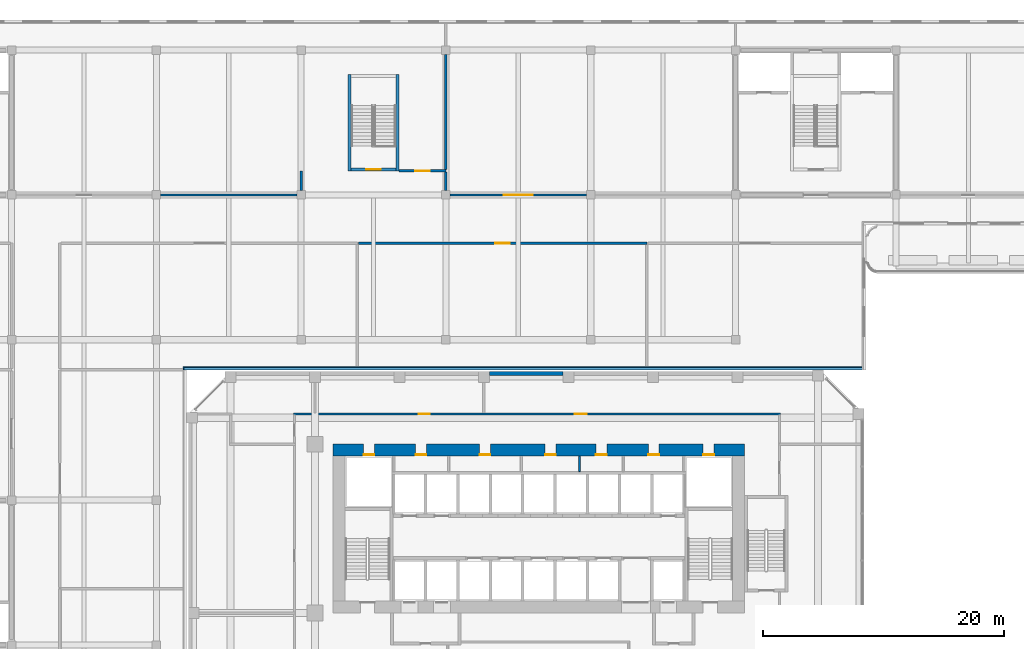
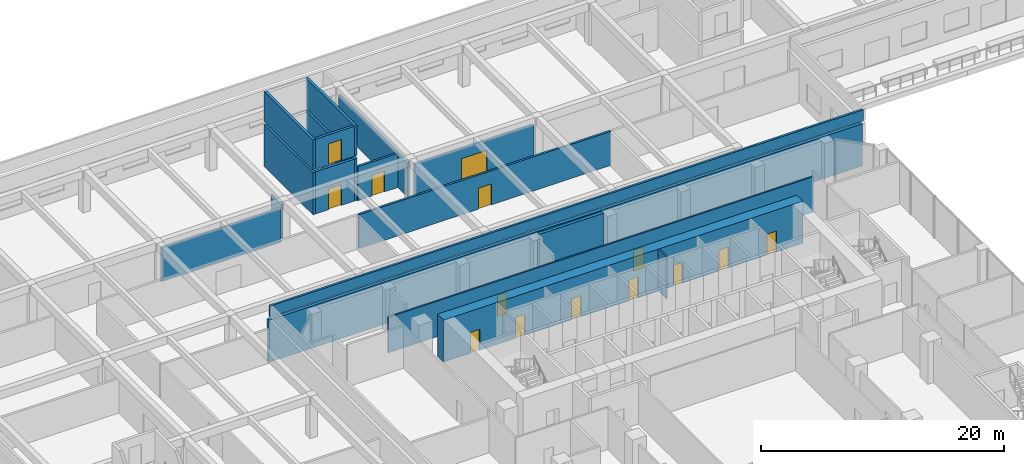
# One storey, part 21 of 35: 19 walls, 14 doors, 14 openings.
"""IFC4 building model written with IfcOpenShell, lengths in metres."""

from ifc_helpers import new_model, si_unit, direction, frame, frame_2d, origin, place, context, subcontext, project, spatial, rectangle, extrude, source, transform, mapped, material, layer, layer_set, type_object, element, fill, save


model = new_model("IFC4")

# Units and contexts
model_context = context("Model", 3, precision=1e-05, world=origin(), true_north=direction((0.0, 1.0)))
body_context = subcontext(model_context, "Body", "Model", "MODEL_VIEW")
ifc_project = project(units=[si_unit("LENGTHUNIT", "METRE"), si_unit("AREAUNIT", "SQUARE_METRE"), si_unit("VOLUMEUNIT", "CUBIC_METRE"), si_unit("PLANEANGLEUNIT", "RADIAN"), si_unit("MASSUNIT", "GRAM", prefix="KILO")], contexts=[model_context])

# Site, building, storey
site_placement = place(None, origin())
site = spatial("IfcSite", under=ifc_project, at=site_placement, CompositionType="ELEMENT")
building_placement = place(site_placement, origin())
building = spatial("IfcBuilding", under=site, at=building_placement, Name="Kilnfold Tower and Market Hall", CompositionType="ELEMENT")
storey_placement = place(building_placement, frame((0.0, 0.0, 22.5)))
storey = spatial("IfcBuildingStorey", under=building, at=storey_placement, Name="L04", CompositionType="ELEMENT", Elevation=22.5)

# Wall, openings, doors
ifc_material_1 = material(Name="Gypsum board on steel studs", Category="steel")
ifc_layer_1 = layer(ifc_material_1, 0.14990234375)
ifc_layer_set_1 = layer_set([ifc_layer_1], Name="Gypsum board on steel studs")
wall_type_1 = type_object("IfcWallType", Name="WALL CORRIDOR 150", PredefinedType="PARTITIONING", material=ifc_layer_set_1)
wall_1_placement = place(storey_placement, frame((-19.27490234375, 24.5, 0.0), z_axis=(0.0, 0.0, 1.0), x_axis=(1.0, 0.0, 0.0)))
wall_1 = element("IfcWall", 1, at=wall_1_placement, inside=storey, type_object=wall_type_1, Name="Partition LY05.30", PredefinedType="PARTITIONING", context=body_context, shape_type="SweptSolid", body=[
    extrude(rectangle(XDim=40.349853515625, YDim=0.14990234375, at=frame_2d((20.1748046875, 0.0))), origin(), (0.0, 0.0, 1.0), 3.570068359375),
])
opening_1_placement = place(wall_1_placement, frame((10.3779296875, 0.0, 0.0)))
opening_1 = element("IfcOpeningElement", 2, at=opening_1_placement, cuts=wall_1, Name="Opening D2", PredefinedType="OPENING", context=body_context, shape_type="SweptSolid", body=[
    extrude(rectangle(XDim=0.89990234375, YDim=2.10009765625, at=frame_2d((0.449951171875, 1.050048828125))), frame((0.0, 0.0849609375, 0.0), z_axis=(0.0, -1.0, 0.0), x_axis=(1.0, 0.0, 0.0)), (0.0, 0.0, 1.0), 0.169921875),
])
opening_2_placement = place(wall_1_placement, frame((23.2919921875, 0.0, 0.0)))
opening_2 = element("IfcOpeningElement", 3, at=opening_2_placement, cuts=wall_1, Name="Opening D1", PredefinedType="OPENING", context=body_context, shape_type="SweptSolid", body=[
    extrude(rectangle(XDim=1.0, YDim=2.10009765625, at=frame_2d((0.5, 1.050048828125))), frame((0.0, 0.0849609375, 0.0), z_axis=(0.0, -1.0, 0.0), x_axis=(1.0, 0.0, 0.0)), (0.0, 0.0, 1.0), 0.169921875),
])
ifc_material_2 = material(Name="Timber veneer door leaf in steel frame", Category="steel")
door_type_1 = type_object("IfcDoorType", Name="DOOR ENTRY 1000 X2100", OperationType="NOTDEFINED", PredefinedType="DOOR", material=ifc_material_2)
door_1_placement = place(opening_2_placement, origin())
door_1 = element("IfcDoor", 4, at=door_1_placement, inside=storey, type_object=door_type_1, Name="Door D1", OperationType="SINGLE_SWING_LEFT", OverallHeight=2.10009765625, OverallWidth=1.0, PredefinedType="DOOR", context=body_context, shape_type="SweptSolid", body=[
    extrude(rectangle(XDim=1.0, YDim=2.10009765625, at=frame_2d((0.5, 1.050048828125))), frame((0.0, 0.02490234375, 0.0), z_axis=(0.0, -1.0, 0.0), x_axis=(1.0, 0.0, 0.0)), (0.0, 0.0, 1.0), 0.050048828125),
])
fill(opening_2, door_1)
ifc_material_3 = material(Name="Timber veneer door leaf in steel frame", Category="steel")
door_type_2 = type_object("IfcDoorType", Name="DOOR ROOM 900 X2100", OperationType="NOTDEFINED", PredefinedType="DOOR", material=ifc_material_3)
door_2_placement = place(opening_1_placement, origin())
door_2 = element("IfcDoor", 5, at=door_2_placement, inside=storey, type_object=door_type_2, Name="Door D2", OperationType="SINGLE_SWING_RIGHT", OverallHeight=2.10009765625, OverallWidth=0.89990234375, PredefinedType="DOOR", context=body_context, shape_type="SweptSolid", body=[
    extrude(rectangle(XDim=0.89990234375, YDim=2.10009765625, at=frame_2d((0.449951171875, 1.050048828125))), frame((0.0, 0.02490234375, 0.0), z_axis=(0.0, -1.0, 0.0), x_axis=(1.0, 0.0, 0.0)), (0.0, 0.0, 1.0), 0.050048828125),
])
fill(opening_1, door_2)

ifc_material_4 = material(Name="Concrete C80", Category="concrete")
ifc_layer_2 = layer(ifc_material_4, 1.0)
ifc_layer_set_2 = layer_set([ifc_layer_2], Name="Concrete C80")
wall_type_2 = type_object("IfcWallType", Name="CORE WALL 1000 C80", PredefinedType="SHEAR", material=ifc_layer_set_2)
shared_shape_1 = source(origin(), body_context, "Body", "SweptSolid", [
    extrude(rectangle(XDim=34.10009765625, YDim=1.0, at=frame_2d((17.050048828125, 0.0))), origin(), (0.0, 0.0, 1.0), 4.219970703125),
])
wall_2_placement = place(storey_placement, frame((-16.0, 21.5, 0.0), z_axis=(0.0, 0.0, 1.0), x_axis=(1.0, 0.0, 0.0)))
wall_2 = element("IfcWall", 6, at=wall_2_placement, inside=storey, type_object=wall_type_2, Name="Core outer wall north", PredefinedType="SHEAR", context=body_context, shape_type="MappedRepresentation", body=[
    mapped(shared_shape_1, transform((0.0, 0.0, 0.0))),
])
opening_3_placement = place(wall_2_placement, frame((6.831298828125, 0.0, 0.0)))
opening_3 = element("IfcOpeningElement", 7, at=opening_3_placement, cuts=wall_2, Name="Opening KD1", PredefinedType="OPENING", context=body_context, shape_type="SweptSolid", body=[
    extrude(rectangle(XDim=0.89990234375, YDim=2.10009765625, at=frame_2d((0.449951171875, 1.050048828125))), frame((0.0, 0.510009765625, 0.0), z_axis=(0.0, -1.0, 0.0), x_axis=(1.0, 0.0, 0.0)), (0.0, 0.0, 1.0), 1.02001953125),
])
opening_4_placement = place(wall_2_placement, frame((12.1376953125, 0.0, 0.0)))
opening_4 = element("IfcOpeningElement", 8, at=opening_4_placement, cuts=wall_2, Name="Opening KD1", PredefinedType="OPENING", context=body_context, shape_type="SweptSolid", body=[
    extrude(rectangle(XDim=0.89990234375, YDim=2.10009765625, at=frame_2d((0.449951171875, 1.050048828125))), frame((0.0, 0.510009765625, 0.0), z_axis=(0.0, -1.0, 0.0), x_axis=(1.0, 0.0, 0.0)), (0.0, 0.0, 1.0), 1.02001953125),
])
opening_5_placement = place(wall_2_placement, frame((17.564697265625, 0.0, 0.0)))
opening_5 = element("IfcOpeningElement", 9, at=opening_5_placement, cuts=wall_2, Name="Opening KD1", PredefinedType="OPENING", context=body_context, shape_type="SweptSolid", body=[
    extrude(rectangle(XDim=0.89990234375, YDim=2.10009765625, at=frame_2d((0.449951171875, 1.050048828125))), frame((0.0, 0.510009765625, 0.0), z_axis=(0.0, -1.0, 0.0), x_axis=(1.0, 0.0, 0.0)), (0.0, 0.0, 1.0), 1.02001953125),
])
opening_6_placement = place(wall_2_placement, frame((21.785888671875, 0.0, 0.0)))
opening_6 = element("IfcOpeningElement", 10, at=opening_6_placement, cuts=wall_2, Name="Opening KD1", PredefinedType="OPENING", context=body_context, shape_type="SweptSolid", body=[
    extrude(rectangle(XDim=0.89990234375, YDim=2.10009765625, at=frame_2d((0.449951171875, 1.050048828125))), frame((0.0, 0.510009765625, 0.0), z_axis=(0.0, -1.0, 0.0), x_axis=(1.0, 0.0, 0.0)), (0.0, 0.0, 1.0), 1.02001953125),
])
opening_7_placement = place(wall_2_placement, frame((26.12744140625, 0.0, 0.0)))
opening_7 = element("IfcOpeningElement", 11, at=opening_7_placement, cuts=wall_2, Name="Opening KD1", PredefinedType="OPENING", context=body_context, shape_type="SweptSolid", body=[
    extrude(rectangle(XDim=0.89990234375, YDim=2.10009765625, at=frame_2d((0.449951171875, 1.050048828125))), frame((0.0, 0.510009765625, 0.0), z_axis=(0.0, -1.0, 0.0), x_axis=(1.0, 0.0, 0.0)), (0.0, 0.0, 1.0), 1.02001953125),
])
opening_8_placement = place(wall_2_placement, frame((2.52490234375, 0.0, 0.0)))
opening_8 = element("IfcOpeningElement", 12, at=opening_8_placement, cuts=wall_2, Name="Opening KD1", PredefinedType="OPENING", context=body_context, shape_type="SweptSolid", body=[
    extrude(rectangle(XDim=0.89990234375, YDim=2.10009765625, at=frame_2d((0.449951171875, 1.050048828125))), frame((0.0, 0.510009765625, 0.0), z_axis=(0.0, -1.0, 0.0), x_axis=(1.0, 0.0, 0.0)), (0.0, 0.0, 1.0), 1.02001953125),
])
opening_9_placement = place(wall_2_placement, frame((30.675048828125, 0.0, 0.0)))
opening_9 = element("IfcOpeningElement", 13, at=opening_9_placement, cuts=wall_2, Name="Opening KD1", PredefinedType="OPENING", context=body_context, shape_type="SweptSolid", body=[
    extrude(rectangle(XDim=0.89990234375, YDim=2.10009765625, at=frame_2d((0.449951171875, 1.050048828125))), frame((0.0, 0.510009765625, 0.0), z_axis=(0.0, -1.0, 0.0), x_axis=(1.0, 0.0, 0.0)), (0.0, 0.0, 1.0), 1.02001953125),
])
ifc_material_5 = material(Name="Steel door set with fire-resisting leaf", Category="steel")
door_type_3 = type_object("IfcDoorType", Name="SERVICE DOOR 900X2100", OperationType="NOTDEFINED", PredefinedType="DOOR", material=ifc_material_5)
door_3_placement = place(opening_3_placement, origin())
door_3 = element("IfcDoor", 14, at=door_3_placement, inside=storey, type_object=door_type_3, Name="Core service door", OperationType="SINGLE_SWING_RIGHT", OverallHeight=2.10009765625, OverallWidth=0.89990234375, PredefinedType="DOOR", context=body_context, shape_type="SweptSolid", body=[
    extrude(rectangle(XDim=0.89990234375, YDim=2.10009765625, at=frame_2d((0.449951171875, 1.050048828125))), frame((0.0, -0.35498046875, 0.0), z_axis=(0.0, -1.0, 0.0), x_axis=(1.0, 0.0, 0.0)), (0.0, 0.0, 1.0), 0.050048828125),
])
fill(opening_3, door_3)
door_4_placement = place(opening_4_placement, origin())
door_4 = element("IfcDoor", 15, at=door_4_placement, inside=storey, type_object=door_type_3, Name="Core service door", OperationType="SINGLE_SWING_LEFT", OverallHeight=2.10009765625, OverallWidth=0.89990234375, PredefinedType="DOOR", context=body_context, shape_type="SweptSolid", body=[
    extrude(rectangle(XDim=0.89990234375, YDim=2.10009765625, at=frame_2d((0.449951171875, 1.050048828125))), frame((0.0, -0.35498046875, 0.0), z_axis=(0.0, -1.0, 0.0), x_axis=(1.0, 0.0, 0.0)), (0.0, 0.0, 1.0), 0.050048828125),
])
fill(opening_4, door_4)
door_5_placement = place(opening_5_placement, origin())
door_5 = element("IfcDoor", 16, at=door_5_placement, inside=storey, type_object=door_type_3, Name="Core service door", OperationType="SINGLE_SWING_RIGHT", OverallHeight=2.10009765625, OverallWidth=0.89990234375, PredefinedType="DOOR", context=body_context, shape_type="SweptSolid", body=[
    extrude(rectangle(XDim=0.89990234375, YDim=2.10009765625, at=frame_2d((0.449951171875, 1.050048828125))), frame((0.0, -0.35498046875, 0.0), z_axis=(0.0, -1.0, 0.0), x_axis=(1.0, 0.0, 0.0)), (0.0, 0.0, 1.0), 0.050048828125),
])
fill(opening_5, door_5)
door_6_placement = place(opening_6_placement, origin())
door_6 = element("IfcDoor", 17, at=door_6_placement, inside=storey, type_object=door_type_3, Name="Core service door", OperationType="SINGLE_SWING_LEFT", OverallHeight=2.10009765625, OverallWidth=0.89990234375, PredefinedType="DOOR", context=body_context, shape_type="SweptSolid", body=[
    extrude(rectangle(XDim=0.89990234375, YDim=2.10009765625, at=frame_2d((0.449951171875, 1.050048828125))), frame((0.0, -0.35498046875, 0.0), z_axis=(0.0, -1.0, 0.0), x_axis=(1.0, 0.0, 0.0)), (0.0, 0.0, 1.0), 0.050048828125),
])
fill(opening_6, door_6)
door_7_placement = place(opening_7_placement, origin())
door_7 = element("IfcDoor", 18, at=door_7_placement, inside=storey, type_object=door_type_3, Name="Core service door", OperationType="SINGLE_SWING_RIGHT", OverallHeight=2.10009765625, OverallWidth=0.89990234375, PredefinedType="DOOR", context=body_context, shape_type="SweptSolid", body=[
    extrude(rectangle(XDim=0.89990234375, YDim=2.10009765625, at=frame_2d((0.449951171875, 1.050048828125))), frame((0.0, -0.35498046875, 0.0), z_axis=(0.0, -1.0, 0.0), x_axis=(1.0, 0.0, 0.0)), (0.0, 0.0, 1.0), 0.050048828125),
])
fill(opening_7, door_7)
door_8_placement = place(opening_8_placement, origin())
door_8 = element("IfcDoor", 19, at=door_8_placement, inside=storey, type_object=door_type_3, Name="Electrical riser access door", OperationType="SINGLE_SWING_LEFT", OverallHeight=2.10009765625, OverallWidth=0.89990234375, PredefinedType="DOOR", context=body_context, shape_type="SweptSolid", body=[
    extrude(rectangle(XDim=0.89990234375, YDim=2.10009765625, at=frame_2d((0.449951171875, 1.050048828125))), frame((0.0, -0.35498046875, 0.0), z_axis=(0.0, -1.0, 0.0), x_axis=(1.0, 0.0, 0.0)), (0.0, 0.0, 1.0), 0.050048828125),
])
fill(opening_8, door_8)
door_9_placement = place(opening_9_placement, origin())
door_9 = element("IfcDoor", 20, at=door_9_placement, inside=storey, type_object=door_type_3, Name="Mechanical riser access door", OperationType="SINGLE_SWING_RIGHT", OverallHeight=2.10009765625, OverallWidth=0.89990234375, PredefinedType="DOOR", context=body_context, shape_type="SweptSolid", body=[
    extrude(rectangle(XDim=0.89990234375, YDim=2.10009765625, at=frame_2d((0.449951171875, 1.050048828125))), frame((0.0, -0.35498046875, 0.0), z_axis=(0.0, -1.0, 0.0), x_axis=(1.0, 0.0, 0.0)), (0.0, 0.0, 1.0), 0.050048828125),
])
fill(opening_9, door_9)

# Wall, opening, door
ifc_material_6 = material(Name="Concrete C50/60", Category="concrete")
ifc_layer_3 = layer(ifc_material_6, 0.25)
ifc_layer_set_3 = layer_set([ifc_layer_3], Name="Concrete C50/60")
wall_type_3 = type_object("IfcWallType", Name="HALL CORE WALL 250", PredefinedType="SHEAR", material=ifc_layer_set_3)
shared_shape_2 = source(origin(), body_context, "Body", "SweptSolid", [
    extrude(rectangle(XDim=3.699951171875, YDim=0.25, at=frame_2d((1.85009765625, 0.0))), origin(), (0.0, 0.0, 1.0), 4.219970703125),
])
wall_3_placement = place(storey_placement, frame((-14.5, 44.77490234375, 0.0), z_axis=(0.0, 0.0, 1.0), x_axis=(1.0, 0.0, 0.0)))
wall_3 = element("IfcWall", 21, at=wall_3_placement, inside=storey, type_object=wall_type_3, Name="Core wall MS4", PredefinedType="SHEAR", context=body_context, shape_type="MappedRepresentation", body=[
    mapped(shared_shape_2, transform((0.0, 0.0, 0.0))),
])
opening_10_placement = place(wall_3_placement, frame((1.25, 0.0, 0.0)))
opening_10 = element("IfcOpeningElement", 22, at=opening_10_placement, cuts=wall_3, Name="Opening MD9-60", PredefinedType="OPENING", context=body_context, shape_type="SweptSolid", body=[
    extrude(rectangle(XDim=1.199951171875, YDim=2.10009765625, at=frame_2d((0.60009765625, 1.050048828125))), frame((0.0, 0.135009765625, 0.0), z_axis=(0.0, -1.0, 0.0), x_axis=(1.0, 0.0, 0.0)), (0.0, 0.0, 1.0), 0.27001953125),
])
ifc_material_7 = material(Name="Steel S355", Category="steel")
door_type_4 = type_object("IfcDoorType", Name="HALL DOOR STAIR 1200X2100 FD60", OperationType="NOTDEFINED", PredefinedType="DOOR", material=ifc_material_7)
door_10_placement = place(opening_10_placement, origin())
door_10 = element("IfcDoor", 23, at=door_10_placement, inside=storey, type_object=door_type_4, Name="Door MD9-60", OperationType="DOUBLE_DOOR_SINGLE_SWING", OverallHeight=2.10009765625, OverallWidth=1.199951171875, PredefinedType="DOOR", context=body_context, shape_type="SweptSolid", body=[
    extrude(rectangle(XDim=1.199951171875, YDim=2.10009765625, at=frame_2d((0.60009765625, 1.050048828125))), frame((0.0, 0.02490234375, 0.0), z_axis=(0.0, -1.0, 0.0), x_axis=(1.0, 0.0, 0.0)), (0.0, 0.0, 1.0), 0.050048828125),
])
fill(opening_10, door_10)

# Walls
shared_shape_3 = source(origin(), body_context, "Body", "SweptSolid", [
    extrude(rectangle(XDim=8.0, YDim=0.25, at=frame_2d((4.0, 0.0))), origin(), (0.0, 0.0, 1.0), 4.219970703125),
])
for number, where, z_axis, x_axis, name in (
    (24, (-14.625, 44.64990234375, 0.0), (0.0, 0.0, 1.0), (0.0, 1.0, 0.0), "Core wall MS4"),
    (25, (-10.675048828125, 44.64990234375, 0.0), (0.0, 0.0, 1.0), (0.0, 1.0, 0.0), "Core wall MS4"),
):
    element("IfcWall", number, at=place(storey_placement, frame(where, z_axis=z_axis, x_axis=x_axis)), inside=storey, type_object=wall_type_3, Name=name, PredefinedType="SHEAR", context=body_context, shape_type="MappedRepresentation", body=[
        mapped(shared_shape_3, transform((0.0, 0.0, 0.0))),
    ])
ifc_material_8 = material(Name="Precast concrete C50/60", Category="concrete")
ifc_layer_4 = layer(ifc_material_8, 0.300048828125)
ifc_layer_set_4 = layer_set([ifc_layer_4], Name="Precast concrete C50/60")
wall_type_4 = type_object("IfcWallType", Name="PRECAST WALL 300", PredefinedType="SOLIDWALL", material=ifc_layer_set_4)
shared_shape_4 = source(origin(), body_context, "Body", "SweptSolid", [
    extrude(rectangle(XDim=6.10009765625, YDim=0.300048828125, at=frame_2d((3.050048828125, 0.0))), origin(), (0.0, 0.0, 1.0), 4.219970703125),
])
wall_4_placement = place(storey_placement, frame((3.050048828125, 27.85009765625, 0.0), z_axis=(0.0, 0.0, 1.0), x_axis=(-1.0, 0.0, 0.0)))
element("IfcWall", 26, at=wall_4_placement, inside=storey, type_object=wall_type_4, Name="Party wall L04 N", PredefinedType="SOLIDWALL", context=body_context, shape_type="MappedRepresentation", body=[
    mapped(shared_shape_4, transform((0.0, 0.0, 0.0))),
])
ifc_material_9 = material(Name="Concrete blockwork", Category="masonry")
ifc_layer_5 = layer(ifc_material_9, 0.300048828125)
ifc_layer_set_5 = layer_set([ifc_layer_5], Name="Concrete blockwork")
wall_type_5 = type_object("IfcWallType", Name="HALL EXTERNAL WALL 300 EI 120", PredefinedType="SOLIDWALL", material=ifc_layer_set_5)
shared_shape_5 = source(origin(), body_context, "Body", "SweptSolid", [
    extrude(rectangle(XDim=56.300048828125, YDim=0.300048828125, at=frame_2d((28.14990234375, 0.0))), origin(), (0.0, 0.0, 1.0), 4.219970703125),
])
wall_5_placement = place(storey_placement, frame((27.85009765625, 28.300048828125, 0.0), z_axis=(0.0, 0.0, 1.0), x_axis=(-1.0, 0.0, 0.0)))
element("IfcWall", 27, at=wall_5_placement, inside=storey, type_object=wall_type_5, Name="Joint wall MEW-L04.6", PredefinedType="SOLIDWALL", context=body_context, shape_type="MappedRepresentation", body=[
    mapped(shared_shape_5, transform((0.0, 0.0, 0.0))),
])
ifc_material_10 = material(Name="Concrete C40/50", Category="concrete")
ifc_layer_6 = layer(ifc_material_10, 0.199951171875)
ifc_layer_set_6 = layer_set([ifc_layer_6], Name="Concrete C40/50")
wall_type_6 = type_object("IfcWallType", Name="HALL PARAPET 200", PredefinedType="PARAPET", material=ifc_layer_set_6)
shared_shape_6 = source(origin(), body_context, "Body", "SweptSolid", [
    extrude(rectangle(XDim=56.300048828125, YDim=0.199951171875, at=frame_2d((28.14990234375, 0.0))), origin(), (0.0, 0.0, 1.0), 1.10009765625),
])
wall_6_placement = place(storey_placement, frame((27.949951171875, 28.25, 4.5), z_axis=(0.0, 0.0, 1.0), x_axis=(-1.0, 0.0, 0.0)))
element("IfcWall", 28, at=wall_6_placement, inside=storey, type_object=wall_type_6, Name="Roof parapet", PredefinedType="PARAPET", context=body_context, shape_type="MappedRepresentation", body=[
    mapped(shared_shape_6, transform((0.0, 0.0, 0.0))),
])
ifc_material_11 = material(Name="Concrete C50/60", Category="concrete")
ifc_layer_7 = layer(ifc_material_11, 0.25)
ifc_layer_set_7 = layer_set([ifc_layer_7], Name="Concrete C50/60")
wall_type_7 = type_object("IfcWallType", Name="HEADHOUSE WALL 250", PredefinedType="SOLIDWALL", material=ifc_layer_set_7)
shared_shape_7 = source(origin(), body_context, "Body", "SweptSolid", [
    extrude(rectangle(XDim=8.0, YDim=0.25, at=frame_2d((4.0, 0.0))), origin(), (0.0, 0.0, 1.0), 3.0),
])
for number, where, z_axis, x_axis, name in (
    (29, (-14.625, 44.64990234375, 4.5), (0.0, 0.0, 1.0), (0.0, 1.0, 0.0), "Stair head-house wall MS4"),
    (30, (-10.675048828125, 44.64990234375, 4.5), (0.0, 0.0, 1.0), (0.0, 1.0, 0.0), "Stair head-house wall MS4"),
):
    element("IfcWall", number, at=place(storey_placement, frame(where, z_axis=z_axis, x_axis=x_axis)), inside=storey, type_object=wall_type_7, Name=name, PredefinedType="SOLIDWALL", context=body_context, shape_type="MappedRepresentation", body=[
        mapped(shared_shape_7, transform((0.0, 0.0, 0.0))),
    ])

# Wall, opening, door
shared_shape_8 = source(origin(), body_context, "Body", "SweptSolid", [
    extrude(rectangle(XDim=3.699951171875, YDim=0.25, at=frame_2d((1.85009765625, 0.0))), origin(), (0.0, 0.0, 1.0), 3.0),
])
wall_7_placement = place(storey_placement, frame((-14.5, 44.77490234375, 4.5), z_axis=(0.0, 0.0, 1.0), x_axis=(1.0, 0.0, 0.0)))
wall_7 = element("IfcWall", 31, at=wall_7_placement, inside=storey, type_object=wall_type_7, Name="Stair head-house wall MS4", PredefinedType="SOLIDWALL", context=body_context, shape_type="MappedRepresentation", body=[
    mapped(shared_shape_8, transform((0.0, 0.0, 0.0))),
])
opening_11_placement = place(wall_7_placement, frame((1.25, 0.0, 0.0)))
opening_11 = element("IfcOpeningElement", 32, at=opening_11_placement, cuts=wall_7, Name="Opening MED4", PredefinedType="OPENING", context=body_context, shape_type="SweptSolid", body=[
    extrude(rectangle(XDim=1.199951171875, YDim=2.10009765625, at=frame_2d((0.60009765625, 1.050048828125))), frame((0.0, 0.135009765625, 0.0), z_axis=(0.0, -1.0, 0.0), x_axis=(1.0, 0.0, 0.0)), (0.0, 0.0, 1.0), 0.27001953125),
])
ifc_material_12 = material(Name="Steel S355", Category="steel")
door_type_5 = type_object("IfcDoorType", Name="HEADHOUSE DOOR 1200X2100 FD60", OperationType="NOTDEFINED", PredefinedType="DOOR", material=ifc_material_12)
door_11_placement = place(opening_11_placement, origin())
door_11 = element("IfcDoor", 33, at=door_11_placement, inside=storey, type_object=door_type_5, Name="Head-house door", OperationType="DOUBLE_DOOR_SINGLE_SWING", OverallHeight=2.10009765625, OverallWidth=1.199951171875, PredefinedType="DOOR", context=body_context, shape_type="SweptSolid", body=[
    extrude(rectangle(XDim=1.199951171875, YDim=2.10009765625, at=frame_2d((0.60009765625, 1.050048828125))), frame((0.0, 0.02490234375, 0.0), z_axis=(0.0, -1.0, 0.0), x_axis=(1.0, 0.0, 0.0)), (0.0, 0.0, 1.0), 0.050048828125),
])
fill(opening_11, door_11)

# Wall
ifc_material_13 = material(Name="Gypsum shaft wall system")
ifc_layer_8 = layer(ifc_material_13, 0.14990234375)
ifc_layer_set_8 = layer_set([ifc_layer_8], Name="Gypsum shaft wall system")
wall_type_8 = type_object("IfcWallType", Name="ROOM WALL 150", PredefinedType="PARTITIONING", material=ifc_layer_set_8)
shared_shape_9 = source(origin(), body_context, "Body", "SweptSolid", [
    extrude(rectangle(XDim=1.27490234375, YDim=0.14990234375, at=frame_2d((0.637451171875, 0.0))), origin(), (0.0, 0.0, 1.0), 4.219970703125),
])
wall_8_placement = place(storey_placement, frame((4.4267578125, 19.72509765625, 0.0), z_axis=(0.0, 0.0, 1.0), x_axis=(0.0, 1.0, 0.0)))
element("IfcWall", 34, at=wall_8_placement, inside=storey, type_object=wall_type_8, Name="Core room wall", PredefinedType="PARTITIONING", context=body_context, shape_type="MappedRepresentation", body=[
    mapped(shared_shape_9, transform((0.0, 0.0, 0.0))),
])

# Wall, opening, door
ifc_material_14 = material(Name="Concrete blockwork", Category="masonry")
ifc_layer_9 = layer(ifc_material_14, 0.199951171875)
ifc_layer_set_9 = layer_set([ifc_layer_9], Name="Concrete blockwork")
wall_type_9 = type_object("IfcWallType", Name="HALL PARTITION 200 EI 120", PredefinedType="PARTITIONING", material=ifc_layer_set_9)
shared_shape_10 = source(origin(), body_context, "Body", "SweptSolid", [
    extrude(rectangle(XDim=3.900146484375, YDim=0.199951171875, at=frame_2d((1.9501953125, 0.0))), origin(), (0.0, 0.0, 1.0), 3.419921875),
])
wall_9_placement = place(storey_placement, frame((-10.550048828125, 44.64990234375, 0.0), z_axis=(0.0, 0.0, 1.0), x_axis=(1.0, 0.0, 0.0)))
wall_9 = element("IfcWall", 35, at=wall_9_placement, inside=storey, type_object=wall_type_9, Name="Partition W-MH-L04.34", PredefinedType="PARTITIONING", context=body_context, shape_type="MappedRepresentation", body=[
    mapped(shared_shape_10, transform((0.0, 0.0, 0.0))),
])
opening_12_placement = place(wall_9_placement, frame((1.35009765625, 0.0, 0.0)))
opening_12 = element("IfcOpeningElement", 36, at=opening_12_placement, cuts=wall_9, Name="Opening MD3-120", PredefinedType="OPENING", context=body_context, shape_type="SweptSolid", body=[
    extrude(rectangle(XDim=1.199951171875, YDim=2.10009765625, at=frame_2d((0.60009765625, 1.050048828125))), frame((0.0, 0.10986328125, 0.0), z_axis=(0.0, -1.0, 0.0), x_axis=(1.0, 0.0, 0.0)), (0.0, 0.0, 1.0), 0.219970703125),
])
ifc_material_15 = material(Name="Steel S355", Category="steel")
door_type_6 = type_object("IfcDoorType", Name="HALL DOOR SERVICE 1200X2100 FD120", OperationType="NOTDEFINED", PredefinedType="DOOR", material=ifc_material_15)
door_12_placement = place(opening_12_placement, origin())
door_12 = element("IfcDoor", 37, at=door_12_placement, inside=storey, type_object=door_type_6, Name="Door MD3-120", OperationType="SINGLE_SWING_RIGHT", OverallHeight=2.10009765625, OverallWidth=1.199951171875, PredefinedType="DOOR", context=body_context, shape_type="SweptSolid", body=[
    extrude(rectangle(XDim=1.199951171875, YDim=2.10009765625, at=frame_2d((0.60009765625, 1.050048828125))), frame((0.0, 0.02490234375, 0.0), z_axis=(0.0, -1.0, 0.0), x_axis=(1.0, 0.0, 0.0)), (0.0, 0.0, 1.0), 0.050048828125),
])
fill(opening_12, door_12)

# Walls
shared_shape_11 = source(origin(), body_context, "Body", "SweptSolid", [
    extrude(rectangle(XDim=9.550048828125, YDim=0.199951171875, at=frame_2d((4.77490234375, 0.0))), origin(), (0.0, 0.0, 1.0), 3.419921875),
])
wall_10_placement = place(storey_placement, frame((-6.64990234375, 54.300048828125, 0.0), z_axis=(0.0, 0.0, 1.0), x_axis=(0.0, -1.0, 0.0)))
element("IfcWall", 38, at=wall_10_placement, inside=storey, type_object=wall_type_9, Name="Partition W-MH-L04.36", PredefinedType="PARTITIONING", context=body_context, shape_type="MappedRepresentation", body=[
    mapped(shared_shape_11, transform((0.0, 0.0, 0.0))),
])
ifc_material_16 = material(Name="Concrete blockwork", Category="masonry")
ifc_layer_10 = layer(ifc_material_16, 0.199951171875)
ifc_layer_set_10 = layer_set([ifc_layer_10], Name="Concrete blockwork")
wall_type_10 = type_object("IfcWallType", Name="HALL PARTITION 200 EI 60", PredefinedType="PARTITIONING", material=ifc_layer_set_10)
shared_shape_12 = source(origin(), body_context, "Body", "SweptSolid", [
    extrude(rectangle(XDim=1.550048828125, YDim=0.199951171875, at=frame_2d((0.77490234375, 0.0))), origin(), (0.0, 0.0, 1.0), 3.419921875),
])
wall_11_placement = place(storey_placement, frame((-6.64990234375, 44.550048828125, 0.0), z_axis=(0.0, 0.0, 1.0), x_axis=(0.0, -1.0, 0.0)))
element("IfcWall", 39, at=wall_11_placement, inside=storey, type_object=wall_type_10, Name="Partition W-MH-L04.35", PredefinedType="PARTITIONING", context=body_context, shape_type="MappedRepresentation", body=[
    mapped(shared_shape_12, transform((0.0, 0.0, 0.0))),
])
shared_shape_13 = source(origin(), body_context, "Body", "SweptSolid", [
    extrude(rectangle(XDim=11.300048828125, YDim=0.199951171875, at=frame_2d((5.64990234375, 0.0))), origin(), (0.0, 0.0, 1.0), 3.419921875),
])
wall_12_placement = place(storey_placement, frame((-30.300048828125, 42.64990234375, 0.0), z_axis=(0.0, 0.0, 1.0), x_axis=(1.0, 0.0, 0.0)))
element("IfcWall", 40, at=wall_12_placement, inside=storey, type_object=wall_type_9, Name="Partition W-MH-L04.30", PredefinedType="PARTITIONING", context=body_context, shape_type="MappedRepresentation", body=[
    mapped(shared_shape_13, transform((0.0, 0.0, 0.0))),
])

# Wall, opening, door
wall_13_placement = place(storey_placement, frame((-6.300048828125, 42.64990234375, 0.0), z_axis=(0.0, 0.0, 1.0), x_axis=(1.0, 0.0, 0.0)))
wall_13 = element("IfcWall", 41, at=wall_13_placement, inside=storey, type_object=wall_type_10, Name="Partition W-MH-L04.38", PredefinedType="PARTITIONING", context=body_context, shape_type="MappedRepresentation", body=[
    mapped(shared_shape_13, transform((0.0, 0.0, 0.0))),
])
opening_13_placement = place(wall_13_placement, frame((4.449951171875, 0.0, 0.0)))
opening_13 = element("IfcOpeningElement", 42, at=opening_13_placement, cuts=wall_13, Name="Opening MD7-60", PredefinedType="OPENING", context=body_context, shape_type="SweptSolid", body=[
    extrude(rectangle(XDim=2.39990234375, YDim=2.39990234375, at=frame_2d((1.199951171875, 1.199951171875))), frame((0.0, 0.10986328125, 0.0), z_axis=(0.0, -1.0, 0.0), x_axis=(1.0, 0.0, 0.0)), (0.0, 0.0, 1.0), 0.219970703125),
])
ifc_material_17 = material(Name="Aluminium glazing", Category="aluminium")
door_type_7 = type_object("IfcDoorType", Name="HALL DOOR HALL 2400X2400 FD60", OperationType="NOTDEFINED", PredefinedType="DOOR", material=ifc_material_17)
door_13_placement = place(opening_13_placement, origin())
door_13 = element("IfcDoor", 43, at=door_13_placement, inside=storey, type_object=door_type_7, Name="Door MD7-60", OperationType="DOUBLE_DOOR_SINGLE_SWING", OverallHeight=2.39990234375, OverallWidth=2.39990234375, PredefinedType="DOOR", context=body_context, shape_type="SweptSolid", body=[
    extrude(rectangle(XDim=2.39990234375, YDim=2.39990234375, at=frame_2d((1.199951171875, 1.199951171875))), frame((0.0, 0.02490234375, 0.0), z_axis=(0.0, -1.0, 0.0), x_axis=(1.0, 0.0, 0.0)), (0.0, 0.0, 1.0), 0.050048828125),
])
fill(opening_13, door_13)

# Wall
shared_shape_14 = source(origin(), body_context, "Body", "SweptSolid", [
    extrude(rectangle(XDim=1.64990234375, YDim=0.199951171875, at=frame_2d((0.824951171875, 0.0))), origin(), (0.0, 0.0, 1.0), 3.419921875),
])
wall_14_placement = place(storey_placement, frame((-18.64990234375, 43.0, 0.0), z_axis=(0.0, 0.0, 1.0), x_axis=(0.0, 1.0, 0.0)))
element("IfcWall", 44, at=wall_14_placement, inside=storey, type_object=wall_type_9, Name="Partition W-MH-L04.31", PredefinedType="PARTITIONING", context=body_context, shape_type="MappedRepresentation", body=[
    mapped(shared_shape_14, transform((0.0, 0.0, 0.0))),
])

# Wall, opening, door
shared_shape_15 = source(origin(), body_context, "Body", "SweptSolid", [
    extrude(rectangle(XDim=23.89990234375, YDim=0.199951171875, at=frame_2d((11.949951171875, 0.0))), origin(), (0.0, 0.0, 1.0), 3.419921875),
])
wall_15_placement = place(storey_placement, frame((10.0, 38.64990234375, 0.0), z_axis=(0.0, 0.0, 1.0), x_axis=(-1.0, 0.0, 0.0)))
wall_15 = element("IfcWall", 45, at=wall_15_placement, inside=storey, type_object=wall_type_9, Name="Partition W-MH-L04.40", PredefinedType="PARTITIONING", context=body_context, shape_type="MappedRepresentation", body=[
    mapped(shared_shape_15, transform((0.0, 0.0, 0.0))),
])
opening_14_placement = place(wall_15_placement, frame((11.35009765625, 0.0, 0.0)))
opening_14 = element("IfcOpeningElement", 46, at=opening_14_placement, cuts=wall_15, Name="Opening MD3-120", PredefinedType="OPENING", context=body_context, shape_type="SweptSolid", body=[
    extrude(rectangle(XDim=1.199951171875, YDim=2.10009765625, at=frame_2d((0.60009765625, 1.050048828125))), frame((0.0, 0.10986328125, 0.0), z_axis=(0.0, -1.0, 0.0), x_axis=(1.0, 0.0, 0.0)), (0.0, 0.0, 1.0), 0.219970703125),
])
door_14_placement = place(opening_14_placement, origin())
door_14 = element("IfcDoor", 47, at=door_14_placement, inside=storey, type_object=door_type_6, Name="Door MD3-120", OperationType="SINGLE_SWING_RIGHT", OverallHeight=2.10009765625, OverallWidth=1.199951171875, PredefinedType="DOOR", context=body_context, shape_type="SweptSolid", body=[
    extrude(rectangle(XDim=1.199951171875, YDim=2.10009765625, at=frame_2d((0.60009765625, 1.050048828125))), frame((0.0, 0.02490234375, 0.0), z_axis=(0.0, -1.0, 0.0), x_axis=(1.0, 0.0, 0.0)), (0.0, 0.0, 1.0), 0.050048828125),
])
fill(opening_14, door_14)

save(model, "model.ifc")
